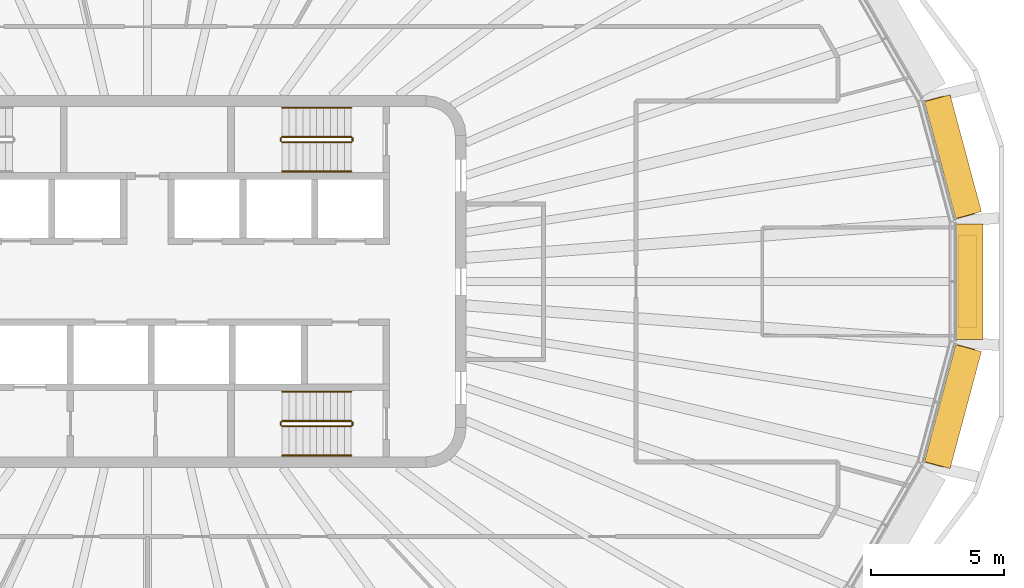
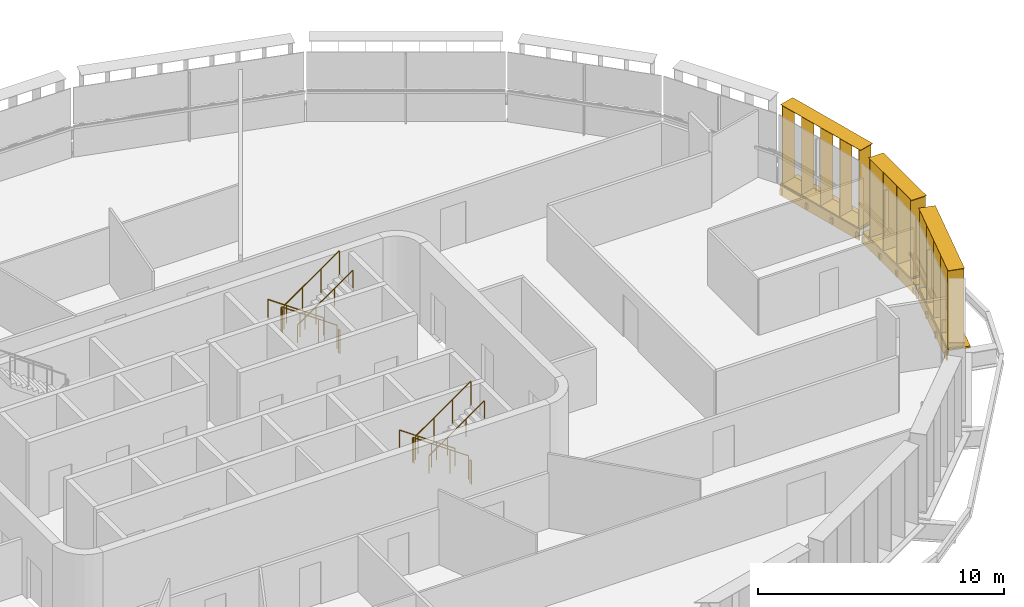
# One storey, part 18 of 20: 12 railings, 6 shading devices.
"""IFC4 building model written with IfcOpenShell, lengths in metres."""

from ifc_helpers import new_model, si_unit, direction, frame, origin, origin_2d, place, context, subcontext, project, spatial, rectangle, circle, extrude, material, type_object, element, save


model = new_model("IFC4")

# Units and contexts
model_context = context("Model", 3, precision=1e-05, world=origin(), true_north=direction((0.0, 1.0)))
body_context = subcontext(model_context, "Body", "Model", "MODEL_VIEW")
ifc_project = project(units=[si_unit("LENGTHUNIT", "METRE"), si_unit("AREAUNIT", "SQUARE_METRE"), si_unit("VOLUMEUNIT", "CUBIC_METRE"), si_unit("PLANEANGLEUNIT", "RADIAN"), si_unit("MASSUNIT", "GRAM", prefix="KILO")], contexts=[model_context])

# Site, building, storey
site_placement = place(None, origin())
site = spatial("IfcSite", under=ifc_project, at=site_placement, CompositionType="ELEMENT")
building_placement = place(site_placement, origin())
building = spatial("IfcBuilding", under=site, at=building_placement, Name="Sahrelin Media Tower", CompositionType="ELEMENT")
storey_placement = place(building_placement, frame((0.0, 0.0, 237.60009765625)))
storey = spatial("IfcBuildingStorey", under=building, at=storey_placement, Name="L51", CompositionType="ELEMENT", Elevation=237.60009765625)

# Shading devices
ifc_material_1 = material(Name="Champagne anodised aluminium 6063-T6", Category="aluminium")
shading_device_type_1 = type_object("IfcShadingDeviceType", Name="Fin cassette", PredefinedType="USERDEFINED", material=ifc_material_1)
placement_1 = place(storey_placement, frame((30.449951171875, 0.0, 0.0), z_axis=(0.0, 0.0, 1.0), x_axis=(0.0, -1.0, 0.0)))
element("IfcShadingDevice", 1, at=placement_1, inside=storey, type_object=shading_device_type_1, Name="L51:FIN:L51-00", ObjectType="FIN", PredefinedType="USERDEFINED", context=body_context, shape_type="SweptSolid", body=[
    extrude(rectangle(XDim=3.5, YDim=0.699951171875, at=origin_2d()), frame((0.0, 0.419921875, 0.0)), (0.0, 0.0, 1.0), 0.02001953125),
    extrude(rectangle(XDim=3.5, YDim=0.699951171875, at=origin_2d()), frame((0.0, 0.419921875, 3.89990234375)), (0.0, 0.0, 1.0), 0.02001953125),
    extrude(rectangle(XDim=0.02001953125, YDim=0.699951171875, at=origin_2d()), frame((-1.64990234375, 0.419921875, 0.010009765625), z_axis=(0.0, 0.0, 1.0), x_axis=(1.0, 0.0, 0.0)), (0.0, 0.0, 1.0), 3.89990234375),
    extrude(rectangle(XDim=0.02001953125, YDim=0.699951171875, at=origin_2d()), frame((-0.550048828125, 0.419921875, 0.010009765625), z_axis=(0.0, 0.0, 1.0), x_axis=(1.0, 0.0, 0.0)), (0.0, 0.0, 1.0), 3.89990234375),
    extrude(rectangle(XDim=0.02001953125, YDim=0.699951171875, at=origin_2d()), frame((0.550048828125, 0.419921875, 0.010009765625), z_axis=(0.0, 0.0, 1.0), x_axis=(1.0, 0.0, 0.0)), (0.0, 0.0, 1.0), 3.89990234375),
    extrude(rectangle(XDim=0.02001953125, YDim=0.699951171875, at=origin_2d()), frame((1.64990234375, 0.419921875, 0.010009765625), z_axis=(0.0, 0.0, 1.0), x_axis=(1.0, 0.0, 0.0)), (0.0, 0.0, 1.0), 3.89990234375),
])
placement_2 = place(storey_placement, frame((29.834228515625, 4.572265625, 0.0), z_axis=(0.0, 0.0, 1.0), x_axis=(0.258807731996, -0.965928857556, 0.0)))
element("IfcShadingDevice", 2, at=placement_2, inside=storey, type_object=shading_device_type_1, Name="L51:FIN:L51-01", ObjectType="FIN", PredefinedType="USERDEFINED", context=body_context, shape_type="SweptSolid", body=[
    extrude(rectangle(XDim=4.60009765625, YDim=0.699951171875, at=origin_2d()), frame((0.0, 0.419921875, 0.0)), (0.0, 0.0, 1.0), 0.02001953125),
    extrude(rectangle(XDim=4.60009765625, YDim=0.699951171875, at=origin_2d()), frame((0.0, 0.419921875, 3.89990234375)), (0.0, 0.0, 1.0), 0.02001953125),
    extrude(rectangle(XDim=0.02001953125, YDim=0.699951171875, at=origin_2d()), frame((-2.199951171875, 0.419921875, 0.010009765625), z_axis=(0.0, 0.0, 1.0), x_axis=(1.0, 0.0, 0.0)), (0.0, 0.0, 1.0), 3.89990234375),
    extrude(rectangle(XDim=0.02001953125, YDim=0.699951171875, at=origin_2d()), frame((-1.10009765625, 0.419921875, 0.010009765625), z_axis=(0.0, 0.0, 1.0), x_axis=(1.0, 0.0, 0.0)), (0.0, 0.0, 1.0), 3.89990234375),
    extrude(rectangle(XDim=0.02001953125, YDim=0.699951171875, at=origin_2d()), frame((0.0, 0.419921875, 0.010009765625), z_axis=(0.0, 0.0, 1.0), x_axis=(1.0, 0.0, 0.0)), (0.0, 0.0, 1.0), 3.89990234375),
    extrude(rectangle(XDim=0.02001953125, YDim=0.699951171875, at=origin_2d()), frame((1.10009765625, 0.419921875, 0.010009765625), z_axis=(0.0, 0.0, 1.0), x_axis=(1.0, 0.0, 0.0)), (0.0, 0.0, 1.0), 3.89990234375),
    extrude(rectangle(XDim=0.02001953125, YDim=0.699951171875, at=origin_2d()), frame((2.199951171875, 0.419921875, 0.010009765625), z_axis=(0.0, 0.0, 1.0), x_axis=(1.0, 0.0, 0.0)), (0.0, 0.0, 1.0), 3.89990234375),
])
placement_3 = place(storey_placement, frame((29.83447265625, -4.572265625, 0.0), z_axis=(0.0, 0.0, 1.0), x_axis=(-0.258807731996, -0.965928857556, 0.0)))
element("IfcShadingDevice", 3, at=placement_3, inside=storey, type_object=shading_device_type_1, Name="L51:FIN:L51-23", ObjectType="FIN", PredefinedType="USERDEFINED", context=body_context, shape_type="SweptSolid", body=[
    extrude(rectangle(XDim=4.60009765625, YDim=0.699951171875, at=origin_2d()), frame((0.0, 0.419921875, 0.0)), (0.0, 0.0, 1.0), 0.02001953125),
    extrude(rectangle(XDim=4.60009765625, YDim=0.699951171875, at=origin_2d()), frame((0.0, 0.419921875, 3.89990234375)), (0.0, 0.0, 1.0), 0.02001953125),
    extrude(rectangle(XDim=0.02001953125, YDim=0.699951171875, at=origin_2d()), frame((-2.199951171875, 0.419921875, 0.010009765625), z_axis=(0.0, 0.0, 1.0), x_axis=(1.0, 0.0, 0.0)), (0.0, 0.0, 1.0), 3.89990234375),
    extrude(rectangle(XDim=0.02001953125, YDim=0.699951171875, at=origin_2d()), frame((-1.10009765625, 0.419921875, 0.010009765625), z_axis=(0.0, 0.0, 1.0), x_axis=(1.0, 0.0, 0.0)), (0.0, 0.0, 1.0), 3.89990234375),
    extrude(rectangle(XDim=0.02001953125, YDim=0.699951171875, at=origin_2d()), frame((0.0, 0.419921875, 0.010009765625), z_axis=(0.0, 0.0, 1.0), x_axis=(1.0, 0.0, 0.0)), (0.0, 0.0, 1.0), 3.89990234375),
    extrude(rectangle(XDim=0.02001953125, YDim=0.699951171875, at=origin_2d()), frame((1.10009765625, 0.419921875, 0.010009765625), z_axis=(0.0, 0.0, 1.0), x_axis=(1.0, 0.0, 0.0)), (0.0, 0.0, 1.0), 3.89990234375),
    extrude(rectangle(XDim=0.02001953125, YDim=0.699951171875, at=origin_2d()), frame((2.199951171875, 0.419921875, 0.010009765625), z_axis=(0.0, 0.0, 1.0), x_axis=(1.0, 0.0, 0.0)), (0.0, 0.0, 1.0), 3.89990234375),
])

# Railings
ifc_material_2 = material(Name="Steel S355", Category="steel")
railing_type_1 = type_object("IfcRailingType", Name="Stair guard 1200", PredefinedType="GUARDRAIL", material=ifc_material_2)
railing_1_placement = place(storey_placement, frame((7.675048828125, 5.449951171875, 0.181640625)))
element("IfcRailing", 4, at=railing_1_placement, inside=storey, type_object=railing_type_1, Name="L51 ST3 stair guard 1", PredefinedType="GUARDRAIL", context=body_context, shape_type="SweptSolid", body=[
    extrude(circle(Radius=0.02392578125, at=origin_2d()), frame((0.0, 0.0, 1.17578125), z_axis=(-0.819484887739, 0.0, 0.573100792852), x_axis=(0.0, -1.0, 0.0)), (0.0, 0.0, 1.0), 3.1728515625),
    extrude(circle(Radius=0.02099609375, at=origin_2d()), origin(), (0.0, 0.0, 1.0), 1.15185546875),
    extrude(circle(Radius=0.02099609375, at=origin_2d()), frame((-0.86669921875, 0.0, 0.606201171875)), (0.0, 0.0, 1.0), 1.15185546875),
    extrude(circle(Radius=0.02099609375, at=origin_2d()), frame((-1.7333984375, 0.0, 1.212158203125)), (0.0, 0.0, 1.0), 1.15185546875),
    extrude(circle(Radius=0.02099609375, at=origin_2d()), frame((-2.60009765625, 0.0, 1.818359375)), (0.0, 0.0, 1.0), 1.15185546875),
])
railing_2_placement = place(storey_placement, frame((5.02490234375, 5.39990234375, 2.0)))
element("IfcRailing", 5, at=railing_2_placement, inside=storey, type_object=railing_type_1, Name="L51 ST3 stair guard 2", PredefinedType="GUARDRAIL", context=body_context, shape_type="SweptSolid", body=[
    extrude(circle(Radius=0.02392578125, at=origin_2d()), frame((0.0, 0.0, 1.17578125), z_axis=(0.0, -1.0, 0.0), x_axis=(1.0, 0.0, 0.0)), (0.0, 0.0, 1.0), 0.099853515625),
    extrude(circle(Radius=0.02099609375, at=origin_2d()), origin(), (0.0, 0.0, 1.0), 1.15185546875),
    extrude(circle(Radius=0.02099609375, at=origin_2d()), frame((0.0, -0.099853515625, 0.0)), (0.0, 0.0, 1.0), 1.15185546875),
])
railing_3_placement = place(storey_placement, frame((5.074951171875, 5.25, 2.181640625)))
element("IfcRailing", 6, at=railing_3_placement, inside=storey, type_object=railing_type_1, Name="L51 ST3 stair guard 3", PredefinedType="GUARDRAIL", context=body_context, shape_type="SweptSolid", body=[
    extrude(circle(Radius=0.02392578125, at=origin_2d()), frame((0.0, 0.0, 1.17578125), z_axis=(0.819484887739, 0.0, 0.573100792852), x_axis=(0.0, 1.0, 0.0)), (0.0, 0.0, 1.0), 3.1728515625),
    extrude(circle(Radius=0.02099609375, at=origin_2d()), origin(), (0.0, 0.0, 1.0), 1.15185546875),
    extrude(circle(Radius=0.02099609375, at=origin_2d()), frame((0.86669921875, 0.0, 0.606201171875)), (0.0, 0.0, 1.0), 1.15185546875),
    extrude(circle(Radius=0.02099609375, at=origin_2d()), frame((1.7333984375, 0.0, 1.212158203125)), (0.0, 0.0, 1.0), 1.15185546875),
    extrude(circle(Radius=0.02099609375, at=origin_2d()), frame((2.60009765625, 0.0, 1.818359375)), (0.0, 0.0, 1.0), 1.15185546875),
])
railing_4_placement = place(storey_placement, frame((7.72509765625, 5.39990234375, 0.0)))
element("IfcRailing", 7, at=railing_4_placement, inside=storey, type_object=railing_type_1, Name="L51 ST3 stair guard 4", PredefinedType="GUARDRAIL", context=body_context, shape_type="SweptSolid", body=[
    extrude(circle(Radius=0.02392578125, at=origin_2d()), frame((0.0, 0.0, 1.17578125), z_axis=(0.0, -1.0, 0.0), x_axis=(1.0, 0.0, 0.0)), (0.0, 0.0, 1.0), 0.099853515625),
    extrude(circle(Radius=0.02099609375, at=origin_2d()), origin(), (0.0, 0.0, 1.0), 1.15185546875),
    extrude(circle(Radius=0.02099609375, at=origin_2d()), frame((0.0, -0.099853515625, 0.0)), (0.0, 0.0, 1.0), 1.15185546875),
])
railing_5_placement = place(storey_placement, frame((7.675048828125, -5.25, 0.181640625)))
element("IfcRailing", 8, at=railing_5_placement, inside=storey, type_object=railing_type_1, Name="L51 ST2 stair guard 1", PredefinedType="GUARDRAIL", context=body_context, shape_type="SweptSolid", body=[
    extrude(circle(Radius=0.02392578125, at=origin_2d()), frame((0.0, 0.0, 1.17578125), z_axis=(-0.819484887739, 0.0, 0.573100792852), x_axis=(0.0, -1.0, 0.0)), (0.0, 0.0, 1.0), 3.1728515625),
    extrude(circle(Radius=0.02099609375, at=origin_2d()), origin(), (0.0, 0.0, 1.0), 1.15185546875),
    extrude(circle(Radius=0.02099609375, at=origin_2d()), frame((-0.86669921875, 0.0, 0.606201171875)), (0.0, 0.0, 1.0), 1.15185546875),
    extrude(circle(Radius=0.02099609375, at=origin_2d()), frame((-1.7333984375, 0.0, 1.212158203125)), (0.0, 0.0, 1.0), 1.15185546875),
    extrude(circle(Radius=0.02099609375, at=origin_2d()), frame((-2.60009765625, 0.0, 1.818359375)), (0.0, 0.0, 1.0), 1.15185546875),
])
railing_6_placement = place(storey_placement, frame((5.02490234375, -5.300048828125, 2.0)))
element("IfcRailing", 9, at=railing_6_placement, inside=storey, type_object=railing_type_1, Name="L51 ST2 stair guard 2", PredefinedType="GUARDRAIL", context=body_context, shape_type="SweptSolid", body=[
    extrude(circle(Radius=0.02392578125, at=origin_2d()), frame((0.0, 0.0, 1.17578125), z_axis=(0.0, -1.0, 0.0), x_axis=(1.0, 0.0, 0.0)), (0.0, 0.0, 1.0), 0.099853515625),
    extrude(circle(Radius=0.02099609375, at=origin_2d()), origin(), (0.0, 0.0, 1.0), 1.15185546875),
    extrude(circle(Radius=0.02099609375, at=origin_2d()), frame((0.0, -0.099853515625, 0.0)), (0.0, 0.0, 1.0), 1.15185546875),
])
railing_7_placement = place(storey_placement, frame((5.074951171875, -5.449951171875, 2.181640625)))
element("IfcRailing", 10, at=railing_7_placement, inside=storey, type_object=railing_type_1, Name="L51 ST2 stair guard 3", PredefinedType="GUARDRAIL", context=body_context, shape_type="SweptSolid", body=[
    extrude(circle(Radius=0.02392578125, at=origin_2d()), frame((0.0, 0.0, 1.17578125), z_axis=(0.819484887739, 0.0, 0.573100792852), x_axis=(0.0, 1.0, 0.0)), (0.0, 0.0, 1.0), 3.1728515625),
    extrude(circle(Radius=0.02099609375, at=origin_2d()), origin(), (0.0, 0.0, 1.0), 1.15185546875),
    extrude(circle(Radius=0.02099609375, at=origin_2d()), frame((0.86669921875, 0.0, 0.606201171875)), (0.0, 0.0, 1.0), 1.15185546875),
    extrude(circle(Radius=0.02099609375, at=origin_2d()), frame((1.7333984375, 0.0, 1.212158203125)), (0.0, 0.0, 1.0), 1.15185546875),
    extrude(circle(Radius=0.02099609375, at=origin_2d()), frame((2.60009765625, 0.0, 1.818359375)), (0.0, 0.0, 1.0), 1.15185546875),
])
railing_8_placement = place(storey_placement, frame((7.72509765625, -5.300048828125, 0.0)))
element("IfcRailing", 11, at=railing_8_placement, inside=storey, type_object=railing_type_1, Name="L51 ST2 stair guard 4", PredefinedType="GUARDRAIL", context=body_context, shape_type="SweptSolid", body=[
    extrude(circle(Radius=0.02392578125, at=origin_2d()), frame((0.0, 0.0, 1.17578125), z_axis=(0.0, -1.0, 0.0), x_axis=(1.0, 0.0, 0.0)), (0.0, 0.0, 1.0), 0.099853515625),
    extrude(circle(Radius=0.02099609375, at=origin_2d()), origin(), (0.0, 0.0, 1.0), 1.15185546875),
    extrude(circle(Radius=0.02099609375, at=origin_2d()), frame((0.0, -0.099853515625, 0.0)), (0.0, 0.0, 1.0), 1.15185546875),
])
railing_type_2 = type_object("IfcRailingType", Name="Stair handrail 900", PredefinedType="HANDRAIL", material=ifc_material_2)
railing_9_placement = place(storey_placement, frame((7.675048828125, 6.550048828125, 0.181640625)))
element("IfcRailing", 12, at=railing_9_placement, inside=storey, type_object=railing_type_2, Name="L51 ST3 stair handrail 1", PredefinedType="HANDRAIL", context=body_context, shape_type="SweptSolid", body=[
    extrude(circle(Radius=0.02392578125, at=origin_2d()), frame((0.0, 0.0, 0.8759765625), z_axis=(-0.819484887739, 0.0, 0.573100792852), x_axis=(0.0, -1.0, 0.0)), (0.0, 0.0, 1.0), 3.1728515625),
    extrude(circle(Radius=0.02099609375, at=origin_2d()), origin(), (0.0, 0.0, 1.0), 0.851806640625),
    extrude(circle(Radius=0.02099609375, at=origin_2d()), frame((-0.86669921875, 0.0, 0.606201171875)), (0.0, 0.0, 1.0), 0.851806640625),
    extrude(circle(Radius=0.02099609375, at=origin_2d()), frame((-1.7333984375, 0.0, 1.212158203125)), (0.0, 0.0, 1.0), 0.851806640625),
    extrude(circle(Radius=0.02099609375, at=origin_2d()), frame((-2.60009765625, 0.0, 1.818359375)), (0.0, 0.0, 1.0), 0.851806640625),
])
railing_10_placement = place(storey_placement, frame((5.074951171875, 4.14990234375, 2.181640625)))
element("IfcRailing", 13, at=railing_10_placement, inside=storey, type_object=railing_type_2, Name="L51 ST3 stair handrail 2", PredefinedType="HANDRAIL", context=body_context, shape_type="SweptSolid", body=[
    extrude(circle(Radius=0.02392578125, at=origin_2d()), frame((0.0, 0.0, 0.8759765625), z_axis=(0.819484887739, 0.0, 0.573100792852), x_axis=(0.0, 1.0, 0.0)), (0.0, 0.0, 1.0), 3.1728515625),
    extrude(circle(Radius=0.02099609375, at=origin_2d()), origin(), (0.0, 0.0, 1.0), 0.851806640625),
    extrude(circle(Radius=0.02099609375, at=origin_2d()), frame((0.86669921875, 0.0, 0.606201171875)), (0.0, 0.0, 1.0), 0.851806640625),
    extrude(circle(Radius=0.02099609375, at=origin_2d()), frame((1.7333984375, 0.0, 1.212158203125)), (0.0, 0.0, 1.0), 0.851806640625),
    extrude(circle(Radius=0.02099609375, at=origin_2d()), frame((2.60009765625, 0.0, 1.818359375)), (0.0, 0.0, 1.0), 0.851806640625),
])
railing_11_placement = place(storey_placement, frame((7.675048828125, -4.14990234375, 0.181640625)))
element("IfcRailing", 14, at=railing_11_placement, inside=storey, type_object=railing_type_2, Name="L51 ST2 stair handrail 1", PredefinedType="HANDRAIL", context=body_context, shape_type="SweptSolid", body=[
    extrude(circle(Radius=0.02392578125, at=origin_2d()), frame((0.0, 0.0, 0.8759765625), z_axis=(-0.819484887739, 0.0, 0.573100792852), x_axis=(0.0, -1.0, 0.0)), (0.0, 0.0, 1.0), 3.1728515625),
    extrude(circle(Radius=0.02099609375, at=origin_2d()), origin(), (0.0, 0.0, 1.0), 0.851806640625),
    extrude(circle(Radius=0.02099609375, at=origin_2d()), frame((-0.86669921875, 0.0, 0.606201171875)), (0.0, 0.0, 1.0), 0.851806640625),
    extrude(circle(Radius=0.02099609375, at=origin_2d()), frame((-1.7333984375, 0.0, 1.212158203125)), (0.0, 0.0, 1.0), 0.851806640625),
    extrude(circle(Radius=0.02099609375, at=origin_2d()), frame((-2.60009765625, 0.0, 1.818359375)), (0.0, 0.0, 1.0), 0.851806640625),
])
railing_12_placement = place(storey_placement, frame((5.074951171875, -6.550048828125, 2.181640625)))
element("IfcRailing", 15, at=railing_12_placement, inside=storey, type_object=railing_type_2, Name="L51 ST2 stair handrail 2", PredefinedType="HANDRAIL", context=body_context, shape_type="SweptSolid", body=[
    extrude(circle(Radius=0.02392578125, at=origin_2d()), frame((0.0, 0.0, 0.8759765625), z_axis=(0.819484887739, 0.0, 0.573100792852), x_axis=(0.0, 1.0, 0.0)), (0.0, 0.0, 1.0), 3.1728515625),
    extrude(circle(Radius=0.02099609375, at=origin_2d()), origin(), (0.0, 0.0, 1.0), 0.851806640625),
    extrude(circle(Radius=0.02099609375, at=origin_2d()), frame((0.86669921875, 0.0, 0.606201171875)), (0.0, 0.0, 1.0), 0.851806640625),
    extrude(circle(Radius=0.02099609375, at=origin_2d()), frame((1.7333984375, 0.0, 1.212158203125)), (0.0, 0.0, 1.0), 0.851806640625),
    extrude(circle(Radius=0.02099609375, at=origin_2d()), frame((2.60009765625, 0.0, 1.818359375)), (0.0, 0.0, 1.0), 0.851806640625),
])

# Shading devices
shading_device_type_2 = type_object("IfcShadingDeviceType", Name="Sunshade band", PredefinedType="USERDEFINED", material=ifc_material_1)
element("IfcShadingDevice", 16, at=placement_1, inside=storey, type_object=shading_device_type_2, Name="L51:SUN:L51-00", ObjectType="SUNSHADE", PredefinedType="USERDEFINED", context=body_context, shape_type="SweptSolid", body=[
    extrude(rectangle(XDim=4.34912109375, YDim=0.050048828125, at=origin_2d()), frame((0.0, 0.044921875, -0.55126953125)), (0.0, 0.0, 1.0), 0.471435546875),
    extrude(rectangle(XDim=4.34912109375, YDim=1.0, at=origin_2d()), frame((0.0, 0.52001953125, -0.080078125)), (0.0, 0.0, 1.0), 0.080078125),
    extrude(rectangle(XDim=0.10009765625, YDim=0.074951171875, at=origin_2d()), frame((-2.074462890625, -0.017578125, -0.47021484375)), (0.0, 0.0, 1.0), 0.300048828125),
    extrude(rectangle(XDim=0.10009765625, YDim=0.074951171875, at=origin_2d()), frame((-0.69140625, -0.017578125, -0.47021484375)), (0.0, 0.0, 1.0), 0.300048828125),
    extrude(rectangle(XDim=0.10009765625, YDim=0.074951171875, at=origin_2d()), frame((0.69140625, -0.017578125, -0.47021484375)), (0.0, 0.0, 1.0), 0.300048828125),
    extrude(rectangle(XDim=0.10009765625, YDim=0.074951171875, at=origin_2d()), frame((2.074462890625, -0.017578125, -0.47021484375)), (0.0, 0.0, 1.0), 0.300048828125),
])
element("IfcShadingDevice", 17, at=placement_2, inside=storey, type_object=shading_device_type_2, Name="L51:SUN:L51-01", ObjectType="SUNSHADE", PredefinedType="USERDEFINED", context=body_context, shape_type="SweptSolid", body=[
    extrude(rectangle(XDim=4.5576171875, YDim=0.050048828125, at=origin_2d()), frame((0.0, 0.044921875, -0.55126953125)), (0.0, 0.0, 1.0), 0.471435546875),
    extrude(rectangle(XDim=4.5576171875, YDim=1.0, at=origin_2d()), frame((0.0, 0.52001953125, -0.080078125)), (0.0, 0.0, 1.0), 0.080078125),
    extrude(rectangle(XDim=0.10009765625, YDim=0.074951171875, at=origin_2d()), frame((-2.1787109375, -0.017578125, -0.47021484375)), (0.0, 0.0, 1.0), 0.300048828125),
    extrude(rectangle(XDim=0.10009765625, YDim=0.074951171875, at=origin_2d()), frame((-0.726318359375, -0.017578125, -0.47021484375)), (0.0, 0.0, 1.0), 0.300048828125),
    extrude(rectangle(XDim=0.10009765625, YDim=0.074951171875, at=origin_2d()), frame((0.726318359375, -0.017578125, -0.47021484375)), (0.0, 0.0, 1.0), 0.300048828125),
    extrude(rectangle(XDim=0.10009765625, YDim=0.074951171875, at=origin_2d()), frame((2.1787109375, -0.017578125, -0.47021484375)), (0.0, 0.0, 1.0), 0.300048828125),
])
element("IfcShadingDevice", 18, at=placement_3, inside=storey, type_object=shading_device_type_2, Name="L51:SUN:L51-23", ObjectType="SUNSHADE", PredefinedType="USERDEFINED", context=body_context, shape_type="SweptSolid", body=[
    extrude(rectangle(XDim=4.5576171875, YDim=0.050048828125, at=origin_2d()), frame((0.0, 0.044921875, -0.55126953125)), (0.0, 0.0, 1.0), 0.471435546875),
    extrude(rectangle(XDim=4.5576171875, YDim=1.0, at=origin_2d()), frame((0.0, 0.52001953125, -0.080078125)), (0.0, 0.0, 1.0), 0.080078125),
    extrude(rectangle(XDim=0.10009765625, YDim=0.074951171875, at=origin_2d()), frame((-2.1787109375, -0.017578125, -0.47021484375)), (0.0, 0.0, 1.0), 0.300048828125),
    extrude(rectangle(XDim=0.10009765625, YDim=0.074951171875, at=origin_2d()), frame((-0.726318359375, -0.017578125, -0.47021484375)), (0.0, 0.0, 1.0), 0.300048828125),
    extrude(rectangle(XDim=0.10009765625, YDim=0.074951171875, at=origin_2d()), frame((0.726318359375, -0.017578125, -0.47021484375)), (0.0, 0.0, 1.0), 0.300048828125),
    extrude(rectangle(XDim=0.10009765625, YDim=0.074951171875, at=origin_2d()), frame((2.1787109375, -0.017578125, -0.47021484375)), (0.0, 0.0, 1.0), 0.300048828125),
])

save(model, "model.ifc")
